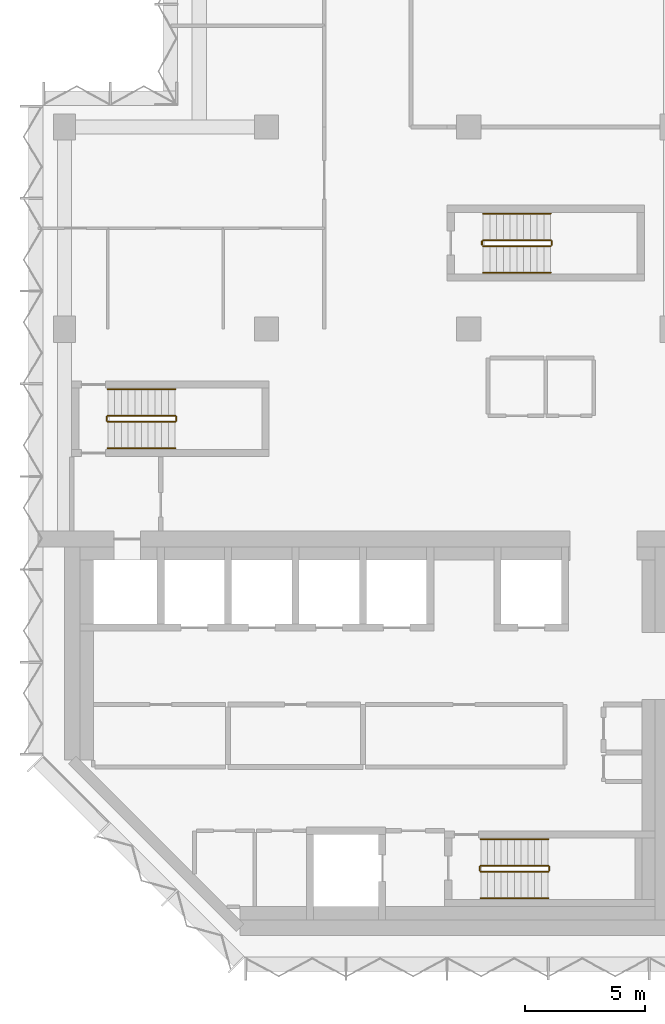
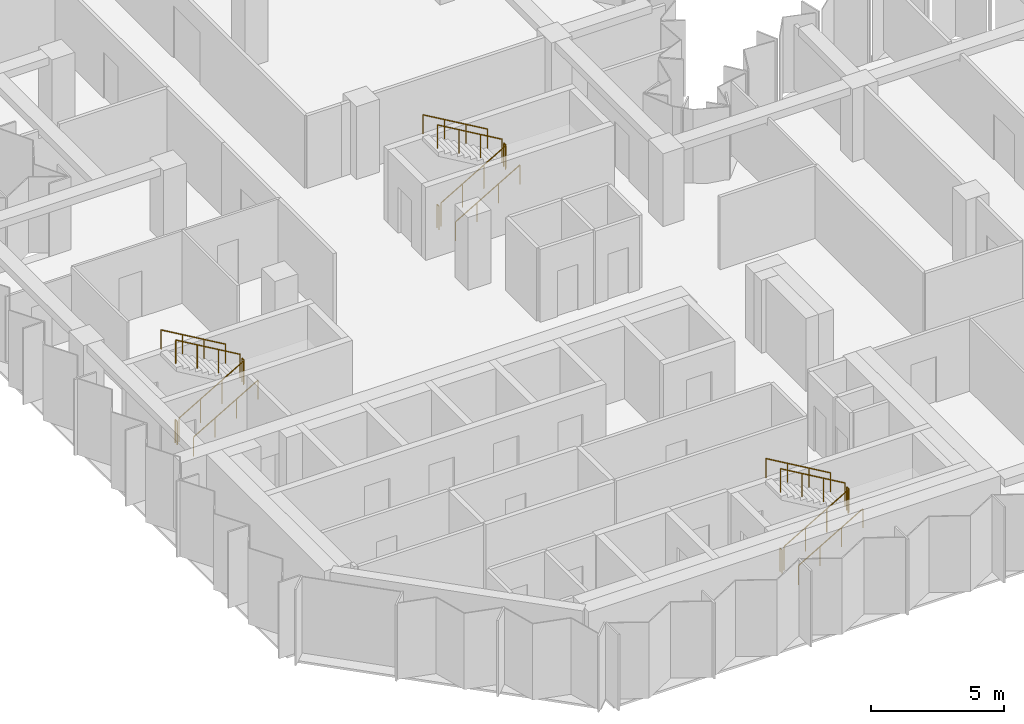
# One storey, part 9 of 10: 18 railings.
"""IFC4 building model written with IfcOpenShell, lengths in metres."""

from ifc_helpers import new_model, si_unit, direction, frame, origin, origin_2d, place, context, subcontext, project, spatial, circle, extrude, material, type_object, element, save


model = new_model("IFC4")

# Units and contexts
model_context = context("Model", 3, precision=1e-05, world=origin(), true_north=direction((0.0, 1.0)))
body_context = subcontext(model_context, "Body", "Model", "MODEL_VIEW")
ifc_project = project(units=[si_unit("LENGTHUNIT", "METRE"), si_unit("AREAUNIT", "SQUARE_METRE"), si_unit("VOLUMEUNIT", "CUBIC_METRE"), si_unit("PLANEANGLEUNIT", "RADIAN"), si_unit("MASSUNIT", "GRAM", prefix="KILO")], contexts=[model_context])

# Site, building, storey
site_placement = place(None, origin())
site = spatial("IfcSite", under=ifc_project, at=site_placement, CompositionType="ELEMENT")
building_placement = place(site_placement, origin())
building = spatial("IfcBuilding", under=site, at=building_placement, Name="Brevane Broadcast Tower", CompositionType="ELEMENT")
storey_placement = place(building_placement, frame((0.0, 0.0, 166.800048828125)))
storey = spatial("IfcBuildingStorey", under=building, at=storey_placement, Name="L41", CompositionType="ELEMENT", Elevation=166.800048828125)

# Railings
ifc_material = material(Name="Steel S355", Category="steel")
railing_type_1 = type_object("IfcRailingType", Name="Exit stair guard", PredefinedType="GUARDRAIL", material=ifc_material)
railing_1_placement = place(storey_placement, frame((1.800048828125, 21.35009765625, 0.16357421875)))
element("IfcRailing", 1, at=railing_1_placement, inside=storey, type_object=railing_type_1, Name="L41 ST-1 stair guard 1", PredefinedType="GUARDRAIL", context=body_context, shape_type="SweptSolid", body=[
    extrude(circle(Radius=0.02392578125, at=origin_2d()), frame((0.0, 0.0, 1.076171875), z_axis=(0.863360870873, 0.0, 0.504586966384), x_axis=(0.0, 1.0, 0.0)), (0.0, 0.0, 1.0), 3.2431640625),
    extrude(circle(Radius=0.02099609375, at=origin_2d()), origin(), (0.0, 0.0, 1.0), 1.052001953125),
    extrude(circle(Radius=0.02099609375, at=origin_2d()), frame((0.933349609375, 0.0, 0.54541015625)), (0.0, 0.0, 1.0), 1.052001953125),
    extrude(circle(Radius=0.02099609375, at=origin_2d()), frame((1.86669921875, 0.0, 1.091064453125)), (0.0, 0.0, 1.0), 1.052001953125),
    extrude(circle(Radius=0.02099609375, at=origin_2d()), frame((2.800048828125, 0.0, 1.636474609375)), (0.0, 0.0, 1.0), 1.052001953125),
])
railing_2_placement = place(storey_placement, frame((4.64990234375, 21.39990234375, 1.800048828125)))
element("IfcRailing", 2, at=railing_2_placement, inside=storey, type_object=railing_type_1, Name="L41 ST-1 stair guard 2", PredefinedType="GUARDRAIL", context=body_context, shape_type="SweptSolid", body=[
    extrude(circle(Radius=0.02392578125, at=origin_2d()), frame((0.0, 0.0, 1.076171875), z_axis=(0.0, 1.0, 0.0), x_axis=(-1.0, 0.0, 0.0)), (0.0, 0.0, 1.0), 0.150146484375),
    extrude(circle(Radius=0.02099609375, at=origin_2d()), origin(), (0.0, 0.0, 1.0), 1.052001953125),
    extrude(circle(Radius=0.02099609375, at=origin_2d()), frame((0.0, 0.150146484375, 0.0)), (0.0, 0.0, 1.0), 1.052001953125),
])
railing_3_placement = place(storey_placement, frame((4.60009765625, 21.60009765625, 1.963623046875)))
element("IfcRailing", 3, at=railing_3_placement, inside=storey, type_object=railing_type_1, Name="L41 ST-1 stair guard 3", PredefinedType="GUARDRAIL", context=body_context, shape_type="SweptSolid", body=[
    extrude(circle(Radius=0.02392578125, at=origin_2d()), frame((0.0, 0.0, 1.076171875), z_axis=(-0.863393664356, 0.0, 0.504530851732), x_axis=(0.0, -1.0, 0.0)), (0.0, 0.0, 1.0), 3.2431640625),
    extrude(circle(Radius=0.02099609375, at=origin_2d()), origin(), (0.0, 0.0, 1.0), 1.052001953125),
    extrude(circle(Radius=0.02099609375, at=origin_2d()), frame((-0.933349609375, 0.0, 0.54541015625)), (0.0, 0.0, 1.0), 1.052001953125),
    extrude(circle(Radius=0.02099609375, at=origin_2d()), frame((-1.86669921875, 0.0, 1.0908203125)), (0.0, 0.0, 1.0), 1.052001953125),
    extrude(circle(Radius=0.02099609375, at=origin_2d()), frame((-2.800048828125, 0.0, 1.63623046875)), (0.0, 0.0, 1.0), 1.052001953125),
])
railing_4_placement = place(storey_placement, frame((1.75, 21.39990234375, 0.0)))
element("IfcRailing", 4, at=railing_4_placement, inside=storey, type_object=railing_type_1, Name="L41 ST-1 stair guard 4", PredefinedType="GUARDRAIL", context=body_context, shape_type="SweptSolid", body=[
    extrude(circle(Radius=0.02392578125, at=origin_2d()), frame((0.0, 0.0, 1.076171875), z_axis=(0.0, 1.0, 0.0), x_axis=(-1.0, 0.0, 0.0)), (0.0, 0.0, 1.0), 0.150146484375),
    extrude(circle(Radius=0.02099609375, at=origin_2d()), origin(), (0.0, 0.0, 1.0), 1.052001953125),
    extrude(circle(Radius=0.02099609375, at=origin_2d()), frame((0.0, 0.150146484375, 0.0)), (0.0, 0.0, 1.0), 1.052001953125),
])
railing_5_placement = place(storey_placement, frame((17.300048828125, 2.64990234375, 0.16357421875)))
element("IfcRailing", 5, at=railing_5_placement, inside=storey, type_object=railing_type_1, Name="L41 ST-2 stair guard 1", PredefinedType="GUARDRAIL", context=body_context, shape_type="SweptSolid", body=[
    extrude(circle(Radius=0.02392578125, at=origin_2d()), frame((0.0, 0.0, 1.076171875), z_axis=(0.863360870873, 0.0, 0.504586966384), x_axis=(0.0, 1.0, 0.0)), (0.0, 0.0, 1.0), 3.2431640625),
    extrude(circle(Radius=0.02099609375, at=origin_2d()), origin(), (0.0, 0.0, 1.0), 1.052001953125),
    extrude(circle(Radius=0.02099609375, at=origin_2d()), frame((0.933349609375, 0.0, 0.54541015625)), (0.0, 0.0, 1.0), 1.052001953125),
    extrude(circle(Radius=0.02099609375, at=origin_2d()), frame((1.86669921875, 0.0, 1.091064453125)), (0.0, 0.0, 1.0), 1.052001953125),
    extrude(circle(Radius=0.02099609375, at=origin_2d()), frame((2.800048828125, 0.0, 1.636474609375)), (0.0, 0.0, 1.0), 1.052001953125),
])
railing_6_placement = place(storey_placement, frame((20.14990234375, 2.699951171875, 1.800048828125)))
element("IfcRailing", 6, at=railing_6_placement, inside=storey, type_object=railing_type_1, Name="L41 ST-2 stair guard 2", PredefinedType="GUARDRAIL", context=body_context, shape_type="SweptSolid", body=[
    extrude(circle(Radius=0.02392578125, at=origin_2d()), frame((0.0, 0.0, 1.076171875), z_axis=(0.0, 1.0, 0.0), x_axis=(-1.0, 0.0, 0.0)), (0.0, 0.0, 1.0), 0.150146484375),
    extrude(circle(Radius=0.02099609375, at=origin_2d()), origin(), (0.0, 0.0, 1.0), 1.052001953125),
    extrude(circle(Radius=0.02099609375, at=origin_2d()), frame((0.0, 0.150146484375, 0.0)), (0.0, 0.0, 1.0), 1.052001953125),
])
railing_7_placement = place(storey_placement, frame((20.10009765625, 2.89990234375, 1.963623046875)))
element("IfcRailing", 7, at=railing_7_placement, inside=storey, type_object=railing_type_1, Name="L41 ST-2 stair guard 3", PredefinedType="GUARDRAIL", context=body_context, shape_type="SweptSolid", body=[
    extrude(circle(Radius=0.02392578125, at=origin_2d()), frame((0.0, 0.0, 1.076171875), z_axis=(-0.863393664356, 0.0, 0.504530851732), x_axis=(0.0, -1.0, 0.0)), (0.0, 0.0, 1.0), 3.2431640625),
    extrude(circle(Radius=0.02099609375, at=origin_2d()), origin(), (0.0, 0.0, 1.0), 1.052001953125),
    extrude(circle(Radius=0.02099609375, at=origin_2d()), frame((-0.933349609375, 0.0, 0.54541015625)), (0.0, 0.0, 1.0), 1.052001953125),
    extrude(circle(Radius=0.02099609375, at=origin_2d()), frame((-1.86669921875, 0.0, 1.0908203125)), (0.0, 0.0, 1.0), 1.052001953125),
    extrude(circle(Radius=0.02099609375, at=origin_2d()), frame((-2.800048828125, 0.0, 1.63623046875)), (0.0, 0.0, 1.0), 1.052001953125),
])
railing_8_placement = place(storey_placement, frame((17.25, 2.699951171875, 0.0)))
element("IfcRailing", 8, at=railing_8_placement, inside=storey, type_object=railing_type_1, Name="L41 ST-2 stair guard 4", PredefinedType="GUARDRAIL", context=body_context, shape_type="SweptSolid", body=[
    extrude(circle(Radius=0.02392578125, at=origin_2d()), frame((0.0, 0.0, 1.076171875), z_axis=(0.0, 1.0, 0.0), x_axis=(-1.0, 0.0, 0.0)), (0.0, 0.0, 1.0), 0.150146484375),
    extrude(circle(Radius=0.02099609375, at=origin_2d()), origin(), (0.0, 0.0, 1.0), 1.052001953125),
    extrude(circle(Radius=0.02099609375, at=origin_2d()), frame((0.0, 0.150146484375, 0.0)), (0.0, 0.0, 1.0), 1.052001953125),
])
railing_9_placement = place(storey_placement, frame((17.39990234375, 28.64990234375, 0.16357421875)))
element("IfcRailing", 9, at=railing_9_placement, inside=storey, type_object=railing_type_1, Name="L41 ST-3 stair guard 1", PredefinedType="GUARDRAIL", context=body_context, shape_type="SweptSolid", body=[
    extrude(circle(Radius=0.02392578125, at=origin_2d()), frame((0.0, 0.0, 1.076171875), z_axis=(0.863360870873, 0.0, 0.504586966384), x_axis=(0.0, 1.0, 0.0)), (0.0, 0.0, 1.0), 3.2431640625),
    extrude(circle(Radius=0.02099609375, at=origin_2d()), origin(), (0.0, 0.0, 1.0), 1.052001953125),
    extrude(circle(Radius=0.02099609375, at=origin_2d()), frame((0.933349609375, 0.0, 0.54541015625)), (0.0, 0.0, 1.0), 1.052001953125),
    extrude(circle(Radius=0.02099609375, at=origin_2d()), frame((1.86669921875, 0.0, 1.091064453125)), (0.0, 0.0, 1.0), 1.052001953125),
    extrude(circle(Radius=0.02099609375, at=origin_2d()), frame((2.800048828125, 0.0, 1.636474609375)), (0.0, 0.0, 1.0), 1.052001953125),
])
railing_10_placement = place(storey_placement, frame((20.25, 28.699951171875, 1.800048828125)))
element("IfcRailing", 10, at=railing_10_placement, inside=storey, type_object=railing_type_1, Name="L41 ST-3 stair guard 2", PredefinedType="GUARDRAIL", context=body_context, shape_type="SweptSolid", body=[
    extrude(circle(Radius=0.02392578125, at=origin_2d()), frame((0.0, 0.0, 1.076171875), z_axis=(0.0, 1.0, 0.0), x_axis=(-1.0, 0.0, 0.0)), (0.0, 0.0, 1.0), 0.150146484375),
    extrude(circle(Radius=0.02099609375, at=origin_2d()), origin(), (0.0, 0.0, 1.0), 1.052001953125),
    extrude(circle(Radius=0.02099609375, at=origin_2d()), frame((0.0, 0.150146484375, 0.0)), (0.0, 0.0, 1.0), 1.052001953125),
])
railing_11_placement = place(storey_placement, frame((20.199951171875, 28.89990234375, 1.963623046875)))
element("IfcRailing", 11, at=railing_11_placement, inside=storey, type_object=railing_type_1, Name="L41 ST-3 stair guard 3", PredefinedType="GUARDRAIL", context=body_context, shape_type="SweptSolid", body=[
    extrude(circle(Radius=0.02392578125, at=origin_2d()), frame((0.0, 0.0, 1.076171875), z_axis=(-0.863393664356, 0.0, 0.504530851732), x_axis=(0.0, -1.0, 0.0)), (0.0, 0.0, 1.0), 3.2431640625),
    extrude(circle(Radius=0.02099609375, at=origin_2d()), origin(), (0.0, 0.0, 1.0), 1.052001953125),
    extrude(circle(Radius=0.02099609375, at=origin_2d()), frame((-0.933349609375, 0.0, 0.54541015625)), (0.0, 0.0, 1.0), 1.052001953125),
    extrude(circle(Radius=0.02099609375, at=origin_2d()), frame((-1.86669921875, 0.0, 1.0908203125)), (0.0, 0.0, 1.0), 1.052001953125),
    extrude(circle(Radius=0.02099609375, at=origin_2d()), frame((-2.800048828125, 0.0, 1.63623046875)), (0.0, 0.0, 1.0), 1.052001953125),
])
railing_12_placement = place(storey_placement, frame((17.35009765625, 28.699951171875, 0.0)))
element("IfcRailing", 12, at=railing_12_placement, inside=storey, type_object=railing_type_1, Name="L41 ST-3 stair guard 4", PredefinedType="GUARDRAIL", context=body_context, shape_type="SweptSolid", body=[
    extrude(circle(Radius=0.02392578125, at=origin_2d()), frame((0.0, 0.0, 1.076171875), z_axis=(0.0, 1.0, 0.0), x_axis=(-1.0, 0.0, 0.0)), (0.0, 0.0, 1.0), 0.150146484375),
    extrude(circle(Radius=0.02099609375, at=origin_2d()), origin(), (0.0, 0.0, 1.0), 1.052001953125),
    extrude(circle(Radius=0.02099609375, at=origin_2d()), frame((0.0, 0.150146484375, 0.0)), (0.0, 0.0, 1.0), 1.052001953125),
])
railing_type_2 = type_object("IfcRailingType", Name="Exit stair handrail", PredefinedType="HANDRAIL", material=ifc_material)
railing_13_placement = place(storey_placement, frame((1.800048828125, 20.25, 0.16357421875)))
element("IfcRailing", 13, at=railing_13_placement, inside=storey, type_object=railing_type_2, Name="L41 ST-1 stair handrail 1", PredefinedType="HANDRAIL", context=body_context, shape_type="SweptSolid", body=[
    extrude(circle(Radius=0.02392578125, at=origin_2d()), frame((0.0, 0.0, 0.8759765625), z_axis=(0.863360870873, 0.0, 0.504586966384), x_axis=(0.0, 1.0, 0.0)), (0.0, 0.0, 1.0), 3.2431640625),
    extrude(circle(Radius=0.02099609375, at=origin_2d()), origin(), (0.0, 0.0, 1.0), 0.851806640625),
    extrude(circle(Radius=0.02099609375, at=origin_2d()), frame((0.933349609375, 0.0, 0.54541015625)), (0.0, 0.0, 1.0), 0.851806640625),
    extrude(circle(Radius=0.02099609375, at=origin_2d()), frame((1.86669921875, 0.0, 1.091064453125)), (0.0, 0.0, 1.0), 0.851806640625),
    extrude(circle(Radius=0.02099609375, at=origin_2d()), frame((2.800048828125, 0.0, 1.636474609375)), (0.0, 0.0, 1.0), 0.851806640625),
])
railing_14_placement = place(storey_placement, frame((4.60009765625, 22.699951171875, 1.963623046875)))
element("IfcRailing", 14, at=railing_14_placement, inside=storey, type_object=railing_type_2, Name="L41 ST-1 stair handrail 2", PredefinedType="HANDRAIL", context=body_context, shape_type="SweptSolid", body=[
    extrude(circle(Radius=0.02392578125, at=origin_2d()), frame((0.0, 0.0, 0.8759765625), z_axis=(-0.863393664356, 0.0, 0.504530851732), x_axis=(0.0, -1.0, 0.0)), (0.0, 0.0, 1.0), 3.2431640625),
    extrude(circle(Radius=0.02099609375, at=origin_2d()), origin(), (0.0, 0.0, 1.0), 0.851806640625),
    extrude(circle(Radius=0.02099609375, at=origin_2d()), frame((-0.933349609375, 0.0, 0.54541015625)), (0.0, 0.0, 1.0), 0.851806640625),
    extrude(circle(Radius=0.02099609375, at=origin_2d()), frame((-1.86669921875, 0.0, 1.0908203125)), (0.0, 0.0, 1.0), 0.851806640625),
    extrude(circle(Radius=0.02099609375, at=origin_2d()), frame((-2.800048828125, 0.0, 1.63623046875)), (0.0, 0.0, 1.0), 0.851806640625),
])
railing_15_placement = place(storey_placement, frame((17.300048828125, 1.550048828125, 0.16357421875)))
element("IfcRailing", 15, at=railing_15_placement, inside=storey, type_object=railing_type_2, Name="L41 ST-2 stair handrail 1", PredefinedType="HANDRAIL", context=body_context, shape_type="SweptSolid", body=[
    extrude(circle(Radius=0.02392578125, at=origin_2d()), frame((0.0, 0.0, 0.8759765625), z_axis=(0.863360870873, 0.0, 0.504586966384), x_axis=(0.0, 1.0, 0.0)), (0.0, 0.0, 1.0), 3.2431640625),
    extrude(circle(Radius=0.02099609375, at=origin_2d()), origin(), (0.0, 0.0, 1.0), 0.851806640625),
    extrude(circle(Radius=0.02099609375, at=origin_2d()), frame((0.933349609375, 0.0, 0.54541015625)), (0.0, 0.0, 1.0), 0.851806640625),
    extrude(circle(Radius=0.02099609375, at=origin_2d()), frame((1.86669921875, 0.0, 1.091064453125)), (0.0, 0.0, 1.0), 0.851806640625),
    extrude(circle(Radius=0.02099609375, at=origin_2d()), frame((2.800048828125, 0.0, 1.636474609375)), (0.0, 0.0, 1.0), 0.851806640625),
])
railing_16_placement = place(storey_placement, frame((20.10009765625, 4.0, 1.963623046875)))
element("IfcRailing", 16, at=railing_16_placement, inside=storey, type_object=railing_type_2, Name="L41 ST-2 stair handrail 2", PredefinedType="HANDRAIL", context=body_context, shape_type="SweptSolid", body=[
    extrude(circle(Radius=0.02392578125, at=origin_2d()), frame((0.0, 0.0, 0.8759765625), z_axis=(-0.863393664356, 0.0, 0.504530851732), x_axis=(0.0, -1.0, 0.0)), (0.0, 0.0, 1.0), 3.2431640625),
    extrude(circle(Radius=0.02099609375, at=origin_2d()), origin(), (0.0, 0.0, 1.0), 0.851806640625),
    extrude(circle(Radius=0.02099609375, at=origin_2d()), frame((-0.933349609375, 0.0, 0.54541015625)), (0.0, 0.0, 1.0), 0.851806640625),
    extrude(circle(Radius=0.02099609375, at=origin_2d()), frame((-1.86669921875, 0.0, 1.0908203125)), (0.0, 0.0, 1.0), 0.851806640625),
    extrude(circle(Radius=0.02099609375, at=origin_2d()), frame((-2.800048828125, 0.0, 1.63623046875)), (0.0, 0.0, 1.0), 0.851806640625),
])
railing_17_placement = place(storey_placement, frame((17.39990234375, 27.550048828125, 0.16357421875)))
element("IfcRailing", 17, at=railing_17_placement, inside=storey, type_object=railing_type_2, Name="L41 ST-3 stair handrail 1", PredefinedType="HANDRAIL", context=body_context, shape_type="SweptSolid", body=[
    extrude(circle(Radius=0.02392578125, at=origin_2d()), frame((0.0, 0.0, 0.8759765625), z_axis=(0.863360870873, 0.0, 0.504586966384), x_axis=(0.0, 1.0, 0.0)), (0.0, 0.0, 1.0), 3.2431640625),
    extrude(circle(Radius=0.02099609375, at=origin_2d()), origin(), (0.0, 0.0, 1.0), 0.851806640625),
    extrude(circle(Radius=0.02099609375, at=origin_2d()), frame((0.933349609375, 0.0, 0.54541015625)), (0.0, 0.0, 1.0), 0.851806640625),
    extrude(circle(Radius=0.02099609375, at=origin_2d()), frame((1.86669921875, 0.0, 1.091064453125)), (0.0, 0.0, 1.0), 0.851806640625),
    extrude(circle(Radius=0.02099609375, at=origin_2d()), frame((2.800048828125, 0.0, 1.636474609375)), (0.0, 0.0, 1.0), 0.851806640625),
])
railing_18_placement = place(storey_placement, frame((20.199951171875, 30.0, 1.963623046875)))
element("IfcRailing", 18, at=railing_18_placement, inside=storey, type_object=railing_type_2, Name="L41 ST-3 stair handrail 2", PredefinedType="HANDRAIL", context=body_context, shape_type="SweptSolid", body=[
    extrude(circle(Radius=0.02392578125, at=origin_2d()), frame((0.0, 0.0, 0.8759765625), z_axis=(-0.863393664356, 0.0, 0.504530851732), x_axis=(0.0, -1.0, 0.0)), (0.0, 0.0, 1.0), 3.2431640625),
    extrude(circle(Radius=0.02099609375, at=origin_2d()), origin(), (0.0, 0.0, 1.0), 0.851806640625),
    extrude(circle(Radius=0.02099609375, at=origin_2d()), frame((-0.933349609375, 0.0, 0.54541015625)), (0.0, 0.0, 1.0), 0.851806640625),
    extrude(circle(Radius=0.02099609375, at=origin_2d()), frame((-1.86669921875, 0.0, 1.0908203125)), (0.0, 0.0, 1.0), 0.851806640625),
    extrude(circle(Radius=0.02099609375, at=origin_2d()), frame((-2.800048828125, 0.0, 1.63623046875)), (0.0, 0.0, 1.0), 0.851806640625),
])

save(model, "model.ifc")
